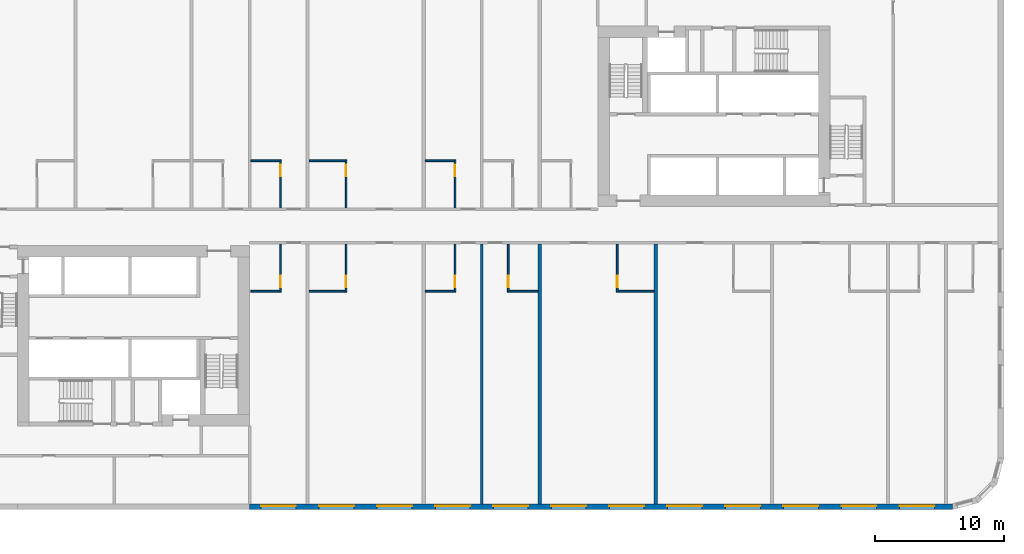
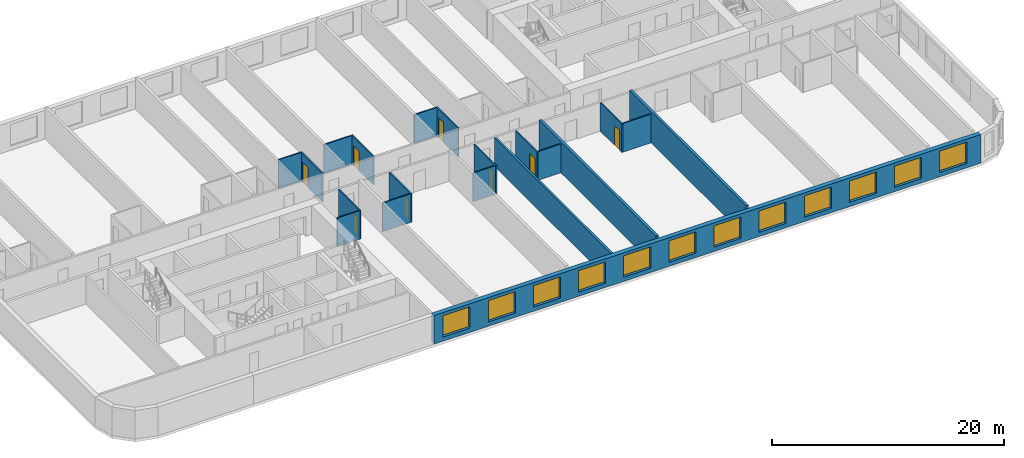
# One storey, part 4 of 12: 20 walls, 12 windows, 8 doors, 20 openings.
"""IFC4 building model written with IfcOpenShell, lengths in metres."""

from ifc_helpers import new_model, si_unit, direction, frame, frame_2d, origin, place, context, subcontext, project, spatial, rectangle, extrude, material, layer, layer_set, type_object, element, fill, save


model = new_model("IFC4")

# Units and contexts
model_context = context("Model", 3, precision=1e-05, world=origin(), true_north=direction((0.0, 1.0)))
body_context = subcontext(model_context, "Body", "Model", "MODEL_VIEW")
ifc_project = project(units=[si_unit("LENGTHUNIT", "METRE"), si_unit("AREAUNIT", "SQUARE_METRE"), si_unit("VOLUMEUNIT", "CUBIC_METRE"), si_unit("PLANEANGLEUNIT", "RADIAN"), si_unit("MASSUNIT", "GRAM", prefix="KILO")], contexts=[model_context])

# Site, building, storey
site_placement = place(None, origin())
site = spatial("IfcSite", under=ifc_project, at=site_placement, CompositionType="ELEMENT")
building_placement = place(site_placement, origin())
building = spatial("IfcBuilding", under=site, at=building_placement, Name="Kajstack Hotel Tower", CompositionType="ELEMENT")
storey_placement = place(building_placement, frame((0.0, 0.0, 63.300048828125)))
storey = spatial("IfcBuildingStorey", under=building, at=storey_placement, Name="L10", CompositionType="ELEMENT", Elevation=63.300048828125)

# Wall
ifc_material_1 = material(Name="Twin-frame gypsum board on steel studs, mineral wool", Category="steel")
ifc_layer_1 = layer(ifc_material_1, 0.199951171875)
ifc_layer_set_1 = layer_set([ifc_layer_1], Name="Demising wall 200")
wall_type_1 = type_object("IfcWallType", Name="Demising wall 200", PredefinedType="PARTITIONING", material=ifc_layer_set_1)
wall_1_placement = place(storey_placement, frame((4.5, -21.550048828125, 0.0), z_axis=(0.0, 0.0, 1.0), x_axis=(0.0, 1.0, 0.0)))
element("IfcWall", 1, at=wall_1_placement, inside=storey, type_object=wall_type_1, Name="G-wall-L10-031", PredefinedType="PARTITIONING", context=body_context, shape_type="SweptSolid", body=[
    extrude(rectangle(XDim=20.150146484375, YDim=0.199951171875, at=frame_2d((10.0751953125, 0.0))), origin(), (0.0, 0.0, 1.0), 3.02001953125),
])

# Wall, openings, windows
ifc_material_2 = material(Name="Terracotta-faced brick masonry", Category="masonry")
ifc_layer_2 = layer(ifc_material_2, 0.449951171875)
ifc_layer_set_2 = layer_set([ifc_layer_2], Name="EW-TERRA")
wall_type_2 = type_object("IfcWallType", Name="EW-TERRA", PredefinedType="SOLIDWALL", material=ifc_layer_set_2)
wall_2_placement = place(storey_placement, frame((-13.5, -21.77490234375, 0.0), z_axis=(0.0, 0.0, 1.0), x_axis=(1.0, 0.0, 0.0)))
wall_2 = element("IfcWall", 2, at=wall_2_placement, inside=storey, type_object=wall_type_2, Name="E-wall-L10-03-02", PredefinedType="SOLIDWALL", context=body_context, shape_type="SweptSolid", body=[
    extrude(rectangle(XDim=54.5, YDim=0.449951171875, at=frame_2d((27.25, 0.0))), origin(), (0.0, 0.0, 1.0), 3.02001953125),
])
opening_1_placement = place(wall_2_placement, frame((0.89990234375, 0.0, 0.449951171875)))
opening_1 = element("IfcOpeningElement", 3, at=opening_1_placement, cuts=wall_2, Name="Opening W1", PredefinedType="OPENING", context=body_context, shape_type="SweptSolid", body=[
    extrude(rectangle(XDim=2.699951171875, YDim=2.25, at=frame_2d((1.35009765625, 1.125))), frame((0.0, 0.23486328125, 0.0), z_axis=(0.0, -1.0, 0.0), x_axis=(1.0, 0.0, 0.0)), (0.0, 0.0, 1.0), 0.469970703125),
])
opening_2_placement = place(wall_2_placement, frame((5.39990234375, 0.0, 0.449951171875)))
opening_2 = element("IfcOpeningElement", 4, at=opening_2_placement, cuts=wall_2, Name="Opening W1", PredefinedType="OPENING", context=body_context, shape_type="SweptSolid", body=[
    extrude(rectangle(XDim=2.699951171875, YDim=2.25, at=frame_2d((1.35009765625, 1.125))), frame((0.0, 0.23486328125, 0.0), z_axis=(0.0, -1.0, 0.0), x_axis=(1.0, 0.0, 0.0)), (0.0, 0.0, 1.0), 0.469970703125),
])
opening_3_placement = place(wall_2_placement, frame((9.89990234375, 0.0, 0.449951171875)))
opening_3 = element("IfcOpeningElement", 5, at=opening_3_placement, cuts=wall_2, Name="Opening W1", PredefinedType="OPENING", context=body_context, shape_type="SweptSolid", body=[
    extrude(rectangle(XDim=2.699951171875, YDim=2.25, at=frame_2d((1.35009765625, 1.125))), frame((0.0, 0.23486328125, 0.0), z_axis=(0.0, -1.0, 0.0), x_axis=(1.0, 0.0, 0.0)), (0.0, 0.0, 1.0), 0.469970703125),
])
opening_4_placement = place(wall_2_placement, frame((14.39990234375, 0.0, 0.449951171875)))
opening_4 = element("IfcOpeningElement", 6, at=opening_4_placement, cuts=wall_2, Name="Opening W1", PredefinedType="OPENING", context=body_context, shape_type="SweptSolid", body=[
    extrude(rectangle(XDim=2.699951171875, YDim=2.25, at=frame_2d((1.35009765625, 1.125))), frame((0.0, 0.23486328125, 0.0), z_axis=(0.0, -1.0, 0.0), x_axis=(1.0, 0.0, 0.0)), (0.0, 0.0, 1.0), 0.469970703125),
])
opening_5_placement = place(wall_2_placement, frame((18.89990234375, 0.0, 0.449951171875)))
opening_5 = element("IfcOpeningElement", 7, at=opening_5_placement, cuts=wall_2, Name="Opening W1", PredefinedType="OPENING", context=body_context, shape_type="SweptSolid", body=[
    extrude(rectangle(XDim=2.699951171875, YDim=2.25, at=frame_2d((1.35009765625, 1.125))), frame((0.0, 0.23486328125, 0.0), z_axis=(0.0, -1.0, 0.0), x_axis=(1.0, 0.0, 0.0)), (0.0, 0.0, 1.0), 0.469970703125),
])
opening_6_placement = place(wall_2_placement, frame((23.39990234375, 0.0, 0.449951171875)))
opening_6 = element("IfcOpeningElement", 8, at=opening_6_placement, cuts=wall_2, Name="Opening W1", PredefinedType="OPENING", context=body_context, shape_type="SweptSolid", body=[
    extrude(rectangle(XDim=2.699951171875, YDim=2.25, at=frame_2d((1.35009765625, 1.125))), frame((0.0, 0.23486328125, 0.0), z_axis=(0.0, -1.0, 0.0), x_axis=(1.0, 0.0, 0.0)), (0.0, 0.0, 1.0), 0.469970703125),
])
opening_7_placement = place(wall_2_placement, frame((27.89990234375, 0.0, 0.449951171875)))
opening_7 = element("IfcOpeningElement", 9, at=opening_7_placement, cuts=wall_2, Name="Opening W1", PredefinedType="OPENING", context=body_context, shape_type="SweptSolid", body=[
    extrude(rectangle(XDim=2.699951171875, YDim=2.25, at=frame_2d((1.35009765625, 1.125))), frame((0.0, 0.23486328125, 0.0), z_axis=(0.0, -1.0, 0.0), x_axis=(1.0, 0.0, 0.0)), (0.0, 0.0, 1.0), 0.469970703125),
])
opening_8_placement = place(wall_2_placement, frame((32.39990234375, 0.0, 0.449951171875)))
opening_8 = element("IfcOpeningElement", 10, at=opening_8_placement, cuts=wall_2, Name="Opening W1", PredefinedType="OPENING", context=body_context, shape_type="SweptSolid", body=[
    extrude(rectangle(XDim=2.699951171875, YDim=2.25, at=frame_2d((1.35009765625, 1.125))), frame((0.0, 0.23486328125, 0.0), z_axis=(0.0, -1.0, 0.0), x_axis=(1.0, 0.0, 0.0)), (0.0, 0.0, 1.0), 0.469970703125),
])
opening_9_placement = place(wall_2_placement, frame((36.89990234375, 0.0, 0.449951171875)))
opening_9 = element("IfcOpeningElement", 11, at=opening_9_placement, cuts=wall_2, Name="Opening W1", PredefinedType="OPENING", context=body_context, shape_type="SweptSolid", body=[
    extrude(rectangle(XDim=2.699951171875, YDim=2.25, at=frame_2d((1.35009765625, 1.125))), frame((0.0, 0.23486328125, 0.0), z_axis=(0.0, -1.0, 0.0), x_axis=(1.0, 0.0, 0.0)), (0.0, 0.0, 1.0), 0.469970703125),
])
opening_10_placement = place(wall_2_placement, frame((41.39990234375, 0.0, 0.449951171875)))
opening_10 = element("IfcOpeningElement", 12, at=opening_10_placement, cuts=wall_2, Name="Opening W1", PredefinedType="OPENING", context=body_context, shape_type="SweptSolid", body=[
    extrude(rectangle(XDim=2.699951171875, YDim=2.25, at=frame_2d((1.35009765625, 1.125))), frame((0.0, 0.23486328125, 0.0), z_axis=(0.0, -1.0, 0.0), x_axis=(1.0, 0.0, 0.0)), (0.0, 0.0, 1.0), 0.469970703125),
])
opening_11_placement = place(wall_2_placement, frame((45.89990234375, 0.0, 0.449951171875)))
opening_11 = element("IfcOpeningElement", 13, at=opening_11_placement, cuts=wall_2, Name="Opening W1", PredefinedType="OPENING", context=body_context, shape_type="SweptSolid", body=[
    extrude(rectangle(XDim=2.699951171875, YDim=2.25, at=frame_2d((1.35009765625, 1.125))), frame((0.0, 0.23486328125, 0.0), z_axis=(0.0, -1.0, 0.0), x_axis=(1.0, 0.0, 0.0)), (0.0, 0.0, 1.0), 0.469970703125),
])
opening_12_placement = place(wall_2_placement, frame((50.39990234375, 0.0, 0.449951171875)))
opening_12 = element("IfcOpeningElement", 14, at=opening_12_placement, cuts=wall_2, Name="Opening W1", PredefinedType="OPENING", context=body_context, shape_type="SweptSolid", body=[
    extrude(rectangle(XDim=2.699951171875, YDim=2.25, at=frame_2d((1.35009765625, 1.125))), frame((0.0, 0.23486328125, 0.0), z_axis=(0.0, -1.0, 0.0), x_axis=(1.0, 0.0, 0.0)), (0.0, 0.0, 1.0), 0.469970703125),
])
ifc_material_3 = material(Name="Timber-aluminium window, triple glazed", Category="wood")
window_type = type_object("IfcWindowType", Name="WG1", PartitioningType="SINGLE_PANEL", PredefinedType="WINDOW", material=ifc_material_3)
window_1_placement = place(opening_1_placement, origin())
window_1 = element("IfcWindow", 15, at=window_1_placement, inside=storey, type_object=window_type, Name="Window W1 L10-03", OverallHeight=2.25, OverallWidth=2.699951171875, PartitioningType="SINGLE_PANEL", PredefinedType="WINDOW", context=body_context, shape_type="SweptSolid", body=[
    extrude(rectangle(XDim=2.699951171875, YDim=2.25, at=frame_2d((1.35009765625, 1.125))), frame((0.0, 0.090087890625, 0.0), z_axis=(0.0, -1.0, 0.0), x_axis=(1.0, 0.0, 0.0)), (0.0, 0.0, 1.0), 0.06005859375),
])
fill(opening_1, window_1)
window_2_placement = place(opening_2_placement, origin())
window_2 = element("IfcWindow", 16, at=window_2_placement, inside=storey, type_object=window_type, Name="Window W1 L10-03", OverallHeight=2.25, OverallWidth=2.699951171875, PartitioningType="SINGLE_PANEL", PredefinedType="WINDOW", context=body_context, shape_type="SweptSolid", body=[
    extrude(rectangle(XDim=2.699951171875, YDim=2.25, at=frame_2d((1.35009765625, 1.125))), frame((0.0, 0.090087890625, 0.0), z_axis=(0.0, -1.0, 0.0), x_axis=(1.0, 0.0, 0.0)), (0.0, 0.0, 1.0), 0.06005859375),
])
fill(opening_2, window_2)
window_3_placement = place(opening_3_placement, origin())
window_3 = element("IfcWindow", 17, at=window_3_placement, inside=storey, type_object=window_type, Name="Window W1 L10-03", OverallHeight=2.25, OverallWidth=2.699951171875, PartitioningType="SINGLE_PANEL", PredefinedType="WINDOW", context=body_context, shape_type="SweptSolid", body=[
    extrude(rectangle(XDim=2.699951171875, YDim=2.25, at=frame_2d((1.35009765625, 1.125))), frame((0.0, 0.090087890625, 0.0), z_axis=(0.0, -1.0, 0.0), x_axis=(1.0, 0.0, 0.0)), (0.0, 0.0, 1.0), 0.06005859375),
])
fill(opening_3, window_3)
window_4_placement = place(opening_4_placement, origin())
window_4 = element("IfcWindow", 18, at=window_4_placement, inside=storey, type_object=window_type, Name="Window W1 L10-03", OverallHeight=2.25, OverallWidth=2.699951171875, PartitioningType="SINGLE_PANEL", PredefinedType="WINDOW", context=body_context, shape_type="SweptSolid", body=[
    extrude(rectangle(XDim=2.699951171875, YDim=2.25, at=frame_2d((1.35009765625, 1.125))), frame((0.0, 0.090087890625, 0.0), z_axis=(0.0, -1.0, 0.0), x_axis=(1.0, 0.0, 0.0)), (0.0, 0.0, 1.0), 0.06005859375),
])
fill(opening_4, window_4)
window_5_placement = place(opening_5_placement, origin())
window_5 = element("IfcWindow", 19, at=window_5_placement, inside=storey, type_object=window_type, Name="Window W1 L10-03", OverallHeight=2.25, OverallWidth=2.699951171875, PartitioningType="SINGLE_PANEL", PredefinedType="WINDOW", context=body_context, shape_type="SweptSolid", body=[
    extrude(rectangle(XDim=2.699951171875, YDim=2.25, at=frame_2d((1.35009765625, 1.125))), frame((0.0, 0.090087890625, 0.0), z_axis=(0.0, -1.0, 0.0), x_axis=(1.0, 0.0, 0.0)), (0.0, 0.0, 1.0), 0.06005859375),
])
fill(opening_5, window_5)
window_6_placement = place(opening_6_placement, origin())
window_6 = element("IfcWindow", 20, at=window_6_placement, inside=storey, type_object=window_type, Name="Window W1 L10-03", OverallHeight=2.25, OverallWidth=2.699951171875, PartitioningType="SINGLE_PANEL", PredefinedType="WINDOW", context=body_context, shape_type="SweptSolid", body=[
    extrude(rectangle(XDim=2.699951171875, YDim=2.25, at=frame_2d((1.35009765625, 1.125))), frame((0.0, 0.090087890625, 0.0), z_axis=(0.0, -1.0, 0.0), x_axis=(1.0, 0.0, 0.0)), (0.0, 0.0, 1.0), 0.06005859375),
])
fill(opening_6, window_6)
window_7_placement = place(opening_7_placement, origin())
window_7 = element("IfcWindow", 21, at=window_7_placement, inside=storey, type_object=window_type, Name="Window W1 L10-03", OverallHeight=2.25, OverallWidth=2.699951171875, PartitioningType="SINGLE_PANEL", PredefinedType="WINDOW", context=body_context, shape_type="SweptSolid", body=[
    extrude(rectangle(XDim=2.699951171875, YDim=2.25, at=frame_2d((1.35009765625, 1.125))), frame((0.0, 0.090087890625, 0.0), z_axis=(0.0, -1.0, 0.0), x_axis=(1.0, 0.0, 0.0)), (0.0, 0.0, 1.0), 0.06005859375),
])
fill(opening_7, window_7)
window_8_placement = place(opening_8_placement, origin())
window_8 = element("IfcWindow", 22, at=window_8_placement, inside=storey, type_object=window_type, Name="Window W1 L10-03", OverallHeight=2.25, OverallWidth=2.699951171875, PartitioningType="SINGLE_PANEL", PredefinedType="WINDOW", context=body_context, shape_type="SweptSolid", body=[
    extrude(rectangle(XDim=2.699951171875, YDim=2.25, at=frame_2d((1.35009765625, 1.125))), frame((0.0, 0.090087890625, 0.0), z_axis=(0.0, -1.0, 0.0), x_axis=(1.0, 0.0, 0.0)), (0.0, 0.0, 1.0), 0.06005859375),
])
fill(opening_8, window_8)
window_9_placement = place(opening_9_placement, origin())
window_9 = element("IfcWindow", 23, at=window_9_placement, inside=storey, type_object=window_type, Name="Window W1 L10-03", OverallHeight=2.25, OverallWidth=2.699951171875, PartitioningType="SINGLE_PANEL", PredefinedType="WINDOW", context=body_context, shape_type="SweptSolid", body=[
    extrude(rectangle(XDim=2.699951171875, YDim=2.25, at=frame_2d((1.35009765625, 1.125))), frame((0.0, 0.090087890625, 0.0), z_axis=(0.0, -1.0, 0.0), x_axis=(1.0, 0.0, 0.0)), (0.0, 0.0, 1.0), 0.06005859375),
])
fill(opening_9, window_9)
window_10_placement = place(opening_10_placement, origin())
window_10 = element("IfcWindow", 24, at=window_10_placement, inside=storey, type_object=window_type, Name="Window W1 L10-03", OverallHeight=2.25, OverallWidth=2.699951171875, PartitioningType="SINGLE_PANEL", PredefinedType="WINDOW", context=body_context, shape_type="SweptSolid", body=[
    extrude(rectangle(XDim=2.699951171875, YDim=2.25, at=frame_2d((1.35009765625, 1.125))), frame((0.0, 0.090087890625, 0.0), z_axis=(0.0, -1.0, 0.0), x_axis=(1.0, 0.0, 0.0)), (0.0, 0.0, 1.0), 0.06005859375),
])
fill(opening_10, window_10)
window_11_placement = place(opening_11_placement, origin())
window_11 = element("IfcWindow", 25, at=window_11_placement, inside=storey, type_object=window_type, Name="Window W1 L10-03", OverallHeight=2.25, OverallWidth=2.699951171875, PartitioningType="SINGLE_PANEL", PredefinedType="WINDOW", context=body_context, shape_type="SweptSolid", body=[
    extrude(rectangle(XDim=2.699951171875, YDim=2.25, at=frame_2d((1.35009765625, 1.125))), frame((0.0, 0.090087890625, 0.0), z_axis=(0.0, -1.0, 0.0), x_axis=(1.0, 0.0, 0.0)), (0.0, 0.0, 1.0), 0.06005859375),
])
fill(opening_11, window_11)
window_12_placement = place(opening_12_placement, origin())
window_12 = element("IfcWindow", 26, at=window_12_placement, inside=storey, type_object=window_type, Name="Window W1 L10-03", OverallHeight=2.25, OverallWidth=2.699951171875, PartitioningType="SINGLE_PANEL", PredefinedType="WINDOW", context=body_context, shape_type="SweptSolid", body=[
    extrude(rectangle(XDim=2.699951171875, YDim=2.25, at=frame_2d((1.35009765625, 1.125))), frame((0.0, 0.090087890625, 0.0), z_axis=(0.0, -1.0, 0.0), x_axis=(1.0, 0.0, 0.0)), (0.0, 0.0, 1.0), 0.06005859375),
])
fill(opening_12, window_12)

# Wall, opening, door
ifc_material_4 = material(Name="Gypsum board and tiled backer on steel studs", Category="steel")
ifc_layer_3 = layer(ifc_material_4, 0.125)
ifc_layer_set_3 = layer_set([ifc_layer_3], Name="En-suite wall 125")
wall_type_3 = type_object("IfcWallType", Name="En-suite wall 125", PredefinedType="PARTITIONING", material=ifc_layer_set_3)
wall_3_placement = place(storey_placement, frame((-11.087890625, 1.39990234375, 0.0), z_axis=(0.0, 0.0, 1.0), x_axis=(0.0, 1.0, 0.0)))
wall_3 = element("IfcWall", 27, at=wall_3_placement, inside=storey, type_object=wall_type_3, Name="G-wall-L10-015", PredefinedType="PARTITIONING", context=body_context, shape_type="SweptSolid", body=[
    extrude(rectangle(XDim=3.72509765625, YDim=0.125, at=frame_2d((1.862548828125, 0.0))), origin(), (0.0, 0.0, 1.0), 3.02001953125),
])
opening_13_placement = place(wall_3_placement, frame((2.449951171875, 0.0, 0.0)))
opening_13 = element("IfcOpeningElement", 28, at=opening_13_placement, cuts=wall_3, Name="Opening 10012", PredefinedType="OPENING", context=body_context, shape_type="SweptSolid", body=[
    extrude(rectangle(XDim=0.89990234375, YDim=2.10009765625, at=frame_2d((0.449951171875, 1.050048828125))), frame((0.0, 0.072509765625, 0.0), z_axis=(0.0, -1.0, 0.0), x_axis=(1.0, 0.0, 0.0)), (0.0, 0.0, 1.0), 0.14501953125),
])
ifc_material_5 = material(Name="Painted timber door leaf", Category="wood")
door_type = type_object("IfcDoorType", Name="Room door 900", OperationType="SINGLE_SWING_LEFT", PredefinedType="DOOR", material=ifc_material_5)
door_1_placement = place(opening_13_placement, origin())
door_1 = element("IfcDoor", 29, at=door_1_placement, inside=storey, type_object=door_type, Name="G-door-L10-12", OperationType="SINGLE_SWING_RIGHT", OverallHeight=2.10009765625, OverallWidth=0.89990234375, PredefinedType="DOOR", context=body_context, shape_type="SweptSolid", body=[
    extrude(rectangle(XDim=0.89990234375, YDim=2.10009765625, at=frame_2d((0.449951171875, 1.050048828125))), frame((0.0, 0.02490234375, 0.0), z_axis=(0.0, -1.0, 0.0), x_axis=(1.0, 0.0, 0.0)), (0.0, 0.0, 1.0), 0.050048828125),
])
fill(opening_13, door_1)

# Wall
wall_4_placement = place(storey_placement, frame((-13.39990234375, 5.06201171875, 0.0), z_axis=(0.0, 0.0, 1.0), x_axis=(1.0, 0.0, 0.0)))
element("IfcWall", 30, at=wall_4_placement, inside=storey, type_object=wall_type_3, Name="G-wall-L10-016", PredefinedType="PARTITIONING", context=body_context, shape_type="SweptSolid", body=[
    extrude(rectangle(XDim=2.25, YDim=0.125, at=frame_2d((1.125, 0.0))), origin(), (0.0, 0.0, 1.0), 3.02001953125),
])

# Wall, opening, door
wall_5_placement = place(storey_placement, frame((-6.012939453125, 1.39990234375, 0.0), z_axis=(0.0, 0.0, 1.0), x_axis=(0.0, 1.0, 0.0)))
wall_5 = element("IfcWall", 31, at=wall_5_placement, inside=storey, type_object=wall_type_3, Name="G-wall-L10-017", PredefinedType="PARTITIONING", context=body_context, shape_type="SweptSolid", body=[
    extrude(rectangle(XDim=3.72509765625, YDim=0.125, at=frame_2d((1.862548828125, 0.0))), origin(), (0.0, 0.0, 1.0), 3.02001953125),
])
opening_14_placement = place(wall_5_placement, frame((2.449951171875, 0.0, 0.0)))
opening_14 = element("IfcOpeningElement", 32, at=opening_14_placement, cuts=wall_5, Name="Opening 10014", PredefinedType="OPENING", context=body_context, shape_type="SweptSolid", body=[
    extrude(rectangle(XDim=0.89990234375, YDim=2.10009765625, at=frame_2d((0.449951171875, 1.050048828125))), frame((0.0, 0.072509765625, 0.0), z_axis=(0.0, -1.0, 0.0), x_axis=(1.0, 0.0, 0.0)), (0.0, 0.0, 1.0), 0.14501953125),
])
door_2_placement = place(opening_14_placement, origin())
door_2 = element("IfcDoor", 33, at=door_2_placement, inside=storey, type_object=door_type, Name="G-door-L10-14", OperationType="SINGLE_SWING_RIGHT", OverallHeight=2.10009765625, OverallWidth=0.89990234375, PredefinedType="DOOR", context=body_context, shape_type="SweptSolid", body=[
    extrude(rectangle(XDim=0.89990234375, YDim=2.10009765625, at=frame_2d((0.449951171875, 1.050048828125))), frame((0.0, 0.02490234375, 0.0), z_axis=(0.0, -1.0, 0.0), x_axis=(1.0, 0.0, 0.0)), (0.0, 0.0, 1.0), 0.050048828125),
])
fill(opening_14, door_2)

# Wall
wall_6_placement = place(storey_placement, frame((-8.875, 5.06201171875, 0.0), z_axis=(0.0, 0.0, 1.0), x_axis=(1.0, 0.0, 0.0)))
element("IfcWall", 34, at=wall_6_placement, inside=storey, type_object=wall_type_3, Name="G-wall-L10-018", PredefinedType="PARTITIONING", context=body_context, shape_type="SweptSolid", body=[
    extrude(rectangle(XDim=2.800048828125, YDim=0.125, at=frame_2d((1.39990234375, 0.0))), origin(), (0.0, 0.0, 1.0), 3.02001953125),
])

# Wall, opening, door
wall_7_placement = place(storey_placement, frame((2.43798828125, 1.39990234375, 0.0), z_axis=(0.0, 0.0, 1.0), x_axis=(0.0, 1.0, 0.0)))
wall_7 = element("IfcWall", 35, at=wall_7_placement, inside=storey, type_object=wall_type_3, Name="G-wall-L10-020", PredefinedType="PARTITIONING", context=body_context, shape_type="SweptSolid", body=[
    extrude(rectangle(XDim=3.72509765625, YDim=0.125, at=frame_2d((1.862548828125, 0.0))), origin(), (0.0, 0.0, 1.0), 3.02001953125),
])
opening_15_placement = place(wall_7_placement, frame((2.449951171875, 0.0, 0.0)))
opening_15 = element("IfcOpeningElement", 36, at=opening_15_placement, cuts=wall_7, Name="Opening 10016", PredefinedType="OPENING", context=body_context, shape_type="SweptSolid", body=[
    extrude(rectangle(XDim=0.89990234375, YDim=2.10009765625, at=frame_2d((0.449951171875, 1.050048828125))), frame((0.0, 0.072509765625, 0.0), z_axis=(0.0, -1.0, 0.0), x_axis=(1.0, 0.0, 0.0)), (0.0, 0.0, 1.0), 0.14501953125),
])
door_3_placement = place(opening_15_placement, origin())
door_3 = element("IfcDoor", 37, at=door_3_placement, inside=storey, type_object=door_type, Name="G-door-L10-16", OperationType="SINGLE_SWING_RIGHT", OverallHeight=2.10009765625, OverallWidth=0.89990234375, PredefinedType="DOOR", context=body_context, shape_type="SweptSolid", body=[
    extrude(rectangle(XDim=0.89990234375, YDim=2.10009765625, at=frame_2d((0.449951171875, 1.050048828125))), frame((0.0, 0.02490234375, 0.0), z_axis=(0.0, -1.0, 0.0), x_axis=(1.0, 0.0, 0.0)), (0.0, 0.0, 1.0), 0.050048828125),
])
fill(opening_15, door_3)

# Wall
wall_8_placement = place(storey_placement, frame((0.125, 5.06201171875, 0.0), z_axis=(0.0, 0.0, 1.0), x_axis=(1.0, 0.0, 0.0)))
element("IfcWall", 38, at=wall_8_placement, inside=storey, type_object=wall_type_3, Name="G-wall-L10-021", PredefinedType="PARTITIONING", context=body_context, shape_type="SweptSolid", body=[
    extrude(rectangle(XDim=2.25, YDim=0.125, at=frame_2d((1.125, 0.0))), origin(), (0.0, 0.0, 1.0), 3.02001953125),
])

# Wall, opening, door
wall_9_placement = place(storey_placement, frame((-11.087890625, -5.125, 0.0), z_axis=(0.0, 0.0, 1.0), x_axis=(0.0, 1.0, 0.0)))
wall_9 = element("IfcWall", 39, at=wall_9_placement, inside=storey, type_object=wall_type_3, Name="G-wall-L10-027", PredefinedType="PARTITIONING", context=body_context, shape_type="SweptSolid", body=[
    extrude(rectangle(XDim=3.72509765625, YDim=0.125, at=frame_2d((1.862548828125, 0.0))), origin(), (0.0, 0.0, 1.0), 3.02001953125),
])
opening_16_placement = place(wall_9_placement, frame((0.375, 0.0, 0.0)))
opening_16 = element("IfcOpeningElement", 40, at=opening_16_placement, cuts=wall_9, Name="Opening 10022", PredefinedType="OPENING", context=body_context, shape_type="SweptSolid", body=[
    extrude(rectangle(XDim=0.89990234375, YDim=2.10009765625, at=frame_2d((0.449951171875, 1.050048828125))), frame((0.0, 0.072509765625, 0.0), z_axis=(0.0, -1.0, 0.0), x_axis=(1.0, 0.0, 0.0)), (0.0, 0.0, 1.0), 0.14501953125),
])
door_4_placement = place(opening_16_placement, origin())
door_4 = element("IfcDoor", 41, at=door_4_placement, inside=storey, type_object=door_type, Name="G-door-L10-22", OperationType="SINGLE_SWING_LEFT", OverallHeight=2.10009765625, OverallWidth=0.89990234375, PredefinedType="DOOR", context=body_context, shape_type="SweptSolid", body=[
    extrude(rectangle(XDim=0.89990234375, YDim=2.10009765625, at=frame_2d((0.449951171875, 1.050048828125))), frame((0.0, 0.02490234375, 0.0), z_axis=(0.0, -1.0, 0.0), x_axis=(1.0, 0.0, 0.0)), (0.0, 0.0, 1.0), 0.050048828125),
])
fill(opening_16, door_4)

# Wall
wall_10_placement = place(storey_placement, frame((-13.39990234375, -5.06201171875, 0.0), z_axis=(0.0, 0.0, 1.0), x_axis=(1.0, 0.0, 0.0)))
element("IfcWall", 42, at=wall_10_placement, inside=storey, type_object=wall_type_3, Name="G-wall-L10-028", PredefinedType="PARTITIONING", context=body_context, shape_type="SweptSolid", body=[
    extrude(rectangle(XDim=2.25, YDim=0.125, at=frame_2d((1.125, 0.0))), origin(), (0.0, 0.0, 1.0), 3.02001953125),
])

# Wall, opening, door
wall_11_placement = place(storey_placement, frame((-6.012939453125, -5.125, 0.0), z_axis=(0.0, 0.0, 1.0), x_axis=(0.0, 1.0, 0.0)))
wall_11 = element("IfcWall", 43, at=wall_11_placement, inside=storey, type_object=wall_type_3, Name="G-wall-L10-029", PredefinedType="PARTITIONING", context=body_context, shape_type="SweptSolid", body=[
    extrude(rectangle(XDim=3.72509765625, YDim=0.125, at=frame_2d((1.862548828125, 0.0))), origin(), (0.0, 0.0, 1.0), 3.02001953125),
])
opening_17_placement = place(wall_11_placement, frame((0.375, 0.0, 0.0)))
opening_17 = element("IfcOpeningElement", 44, at=opening_17_placement, cuts=wall_11, Name="Opening 10024", PredefinedType="OPENING", context=body_context, shape_type="SweptSolid", body=[
    extrude(rectangle(XDim=0.89990234375, YDim=2.10009765625, at=frame_2d((0.449951171875, 1.050048828125))), frame((0.0, 0.072509765625, 0.0), z_axis=(0.0, -1.0, 0.0), x_axis=(1.0, 0.0, 0.0)), (0.0, 0.0, 1.0), 0.14501953125),
])
door_5_placement = place(opening_17_placement, origin())
door_5 = element("IfcDoor", 45, at=door_5_placement, inside=storey, type_object=door_type, Name="G-door-L10-24", OperationType="SINGLE_SWING_RIGHT", OverallHeight=2.10009765625, OverallWidth=0.89990234375, PredefinedType="DOOR", context=body_context, shape_type="SweptSolid", body=[
    extrude(rectangle(XDim=0.89990234375, YDim=2.10009765625, at=frame_2d((0.449951171875, 1.050048828125))), frame((0.0, 0.02490234375, 0.0), z_axis=(0.0, -1.0, 0.0), x_axis=(1.0, 0.0, 0.0)), (0.0, 0.0, 1.0), 0.050048828125),
])
fill(opening_17, door_5)

# Wall
wall_12_placement = place(storey_placement, frame((-8.875, -5.06201171875, 0.0), z_axis=(0.0, 0.0, 1.0), x_axis=(1.0, 0.0, 0.0)))
element("IfcWall", 46, at=wall_12_placement, inside=storey, type_object=wall_type_3, Name="G-wall-L10-030", PredefinedType="PARTITIONING", context=body_context, shape_type="SweptSolid", body=[
    extrude(rectangle(XDim=2.800048828125, YDim=0.125, at=frame_2d((1.39990234375, 0.0))), origin(), (0.0, 0.0, 1.0), 3.02001953125),
])

# Wall, opening, door
wall_13_placement = place(storey_placement, frame((2.43798828125, -5.125, 0.0), z_axis=(0.0, 0.0, 1.0), x_axis=(0.0, 1.0, 0.0)))
wall_13 = element("IfcWall", 47, at=wall_13_placement, inside=storey, type_object=wall_type_3, Name="G-wall-L10-032", PredefinedType="PARTITIONING", context=body_context, shape_type="SweptSolid", body=[
    extrude(rectangle(XDim=3.72509765625, YDim=0.125, at=frame_2d((1.862548828125, 0.0))), origin(), (0.0, 0.0, 1.0), 3.02001953125),
])
opening_18_placement = place(wall_13_placement, frame((0.375, 0.0, 0.0)))
opening_18 = element("IfcOpeningElement", 48, at=opening_18_placement, cuts=wall_13, Name="Opening 10026", PredefinedType="OPENING", context=body_context, shape_type="SweptSolid", body=[
    extrude(rectangle(XDim=0.89990234375, YDim=2.10009765625, at=frame_2d((0.449951171875, 1.050048828125))), frame((0.0, 0.072509765625, 0.0), z_axis=(0.0, -1.0, 0.0), x_axis=(1.0, 0.0, 0.0)), (0.0, 0.0, 1.0), 0.14501953125),
])
door_6_placement = place(opening_18_placement, origin())
door_6 = element("IfcDoor", 49, at=door_6_placement, inside=storey, type_object=door_type, Name="G-door-L10-26", OperationType="SINGLE_SWING_RIGHT", OverallHeight=2.10009765625, OverallWidth=0.89990234375, PredefinedType="DOOR", context=body_context, shape_type="SweptSolid", body=[
    extrude(rectangle(XDim=0.89990234375, YDim=2.10009765625, at=frame_2d((0.449951171875, 1.050048828125))), frame((0.0, 0.02490234375, 0.0), z_axis=(0.0, -1.0, 0.0), x_axis=(1.0, 0.0, 0.0)), (0.0, 0.0, 1.0), 0.050048828125),
])
fill(opening_18, door_6)

# Wall
wall_14_placement = place(storey_placement, frame((0.125, -5.06201171875, 0.0), z_axis=(0.0, 0.0, 1.0), x_axis=(1.0, 0.0, 0.0)))
element("IfcWall", 50, at=wall_14_placement, inside=storey, type_object=wall_type_3, Name="G-wall-L10-033", PredefinedType="PARTITIONING", context=body_context, shape_type="SweptSolid", body=[
    extrude(rectangle(XDim=2.25, YDim=0.125, at=frame_2d((1.125, 0.0))), origin(), (0.0, 0.0, 1.0), 3.02001953125),
])

# Wall, opening, door
wall_15_placement = place(storey_placement, frame((6.56201171875, -5.125, 0.0), z_axis=(0.0, 0.0, 1.0), x_axis=(0.0, 1.0, 0.0)))
wall_15 = element("IfcWall", 51, at=wall_15_placement, inside=storey, type_object=wall_type_3, Name="G-wall-L10-034", PredefinedType="PARTITIONING", context=body_context, shape_type="SweptSolid", body=[
    extrude(rectangle(XDim=3.72509765625, YDim=0.125, at=frame_2d((1.862548828125, 0.0))), origin(), (0.0, 0.0, 1.0), 3.02001953125),
])
opening_19_placement = place(wall_15_placement, frame((0.375, 0.0, 0.0)))
opening_19 = element("IfcOpeningElement", 52, at=opening_19_placement, cuts=wall_15, Name="Opening 10028", PredefinedType="OPENING", context=body_context, shape_type="SweptSolid", body=[
    extrude(rectangle(XDim=0.89990234375, YDim=2.10009765625, at=frame_2d((0.449951171875, 1.050048828125))), frame((0.0, 0.072509765625, 0.0), z_axis=(0.0, -1.0, 0.0), x_axis=(1.0, 0.0, 0.0)), (0.0, 0.0, 1.0), 0.14501953125),
])
door_7_placement = place(opening_19_placement, origin())
door_7 = element("IfcDoor", 53, at=door_7_placement, inside=storey, type_object=door_type, Name="G-door-L10-28", OperationType="SINGLE_SWING_LEFT", OverallHeight=2.10009765625, OverallWidth=0.89990234375, PredefinedType="DOOR", context=body_context, shape_type="SweptSolid", body=[
    extrude(rectangle(XDim=0.89990234375, YDim=2.10009765625, at=frame_2d((0.449951171875, 1.050048828125))), frame((0.0, 0.02490234375, 0.0), z_axis=(0.0, -1.0, 0.0), x_axis=(1.0, 0.0, 0.0)), (0.0, 0.0, 1.0), 0.050048828125),
])
fill(opening_19, door_7)

# Wall
wall_16_placement = place(storey_placement, frame((6.625, -5.06201171875, 0.0), z_axis=(0.0, 0.0, 1.0), x_axis=(1.0, 0.0, 0.0)))
element("IfcWall", 54, at=wall_16_placement, inside=storey, type_object=wall_type_3, Name="G-wall-L10-035", PredefinedType="PARTITIONING", context=body_context, shape_type="SweptSolid", body=[
    extrude(rectangle(XDim=2.25, YDim=0.125, at=frame_2d((1.125, 0.0))), origin(), (0.0, 0.0, 1.0), 3.02001953125),
])

# Wall, opening, door
wall_17_placement = place(storey_placement, frame((15.011962890625, -5.125, 0.0), z_axis=(0.0, 0.0, 1.0), x_axis=(0.0, 1.0, 0.0)))
wall_17 = element("IfcWall", 55, at=wall_17_placement, inside=storey, type_object=wall_type_3, Name="G-wall-L10-036", PredefinedType="PARTITIONING", context=body_context, shape_type="SweptSolid", body=[
    extrude(rectangle(XDim=3.72509765625, YDim=0.125, at=frame_2d((1.862548828125, 0.0))), origin(), (0.0, 0.0, 1.0), 3.02001953125),
])
opening_20_placement = place(wall_17_placement, frame((0.375, 0.0, 0.0)))
opening_20 = element("IfcOpeningElement", 56, at=opening_20_placement, cuts=wall_17, Name="Opening 10030", PredefinedType="OPENING", context=body_context, shape_type="SweptSolid", body=[
    extrude(rectangle(XDim=0.89990234375, YDim=2.10009765625, at=frame_2d((0.449951171875, 1.050048828125))), frame((0.0, 0.072509765625, 0.0), z_axis=(0.0, -1.0, 0.0), x_axis=(1.0, 0.0, 0.0)), (0.0, 0.0, 1.0), 0.14501953125),
])
door_8_placement = place(opening_20_placement, origin())
door_8 = element("IfcDoor", 57, at=door_8_placement, inside=storey, type_object=door_type, Name="G-door-L10-30", OperationType="SINGLE_SWING_LEFT", OverallHeight=2.10009765625, OverallWidth=0.89990234375, PredefinedType="DOOR", context=body_context, shape_type="SweptSolid", body=[
    extrude(rectangle(XDim=0.89990234375, YDim=2.10009765625, at=frame_2d((0.449951171875, 1.050048828125))), frame((0.0, 0.02490234375, 0.0), z_axis=(0.0, -1.0, 0.0), x_axis=(1.0, 0.0, 0.0)), (0.0, 0.0, 1.0), 0.050048828125),
])
fill(opening_20, door_8)

# Walls
wall_18_placement = place(storey_placement, frame((15.074951171875, -5.06201171875, 0.0), z_axis=(0.0, 0.0, 1.0), x_axis=(1.0, 0.0, 0.0)))
element("IfcWall", 58, at=wall_18_placement, inside=storey, type_object=wall_type_3, Name="G-wall-L10-037", PredefinedType="PARTITIONING", context=body_context, shape_type="SweptSolid", body=[
    extrude(rectangle(XDim=2.800048828125, YDim=0.125, at=frame_2d((1.39990234375, 0.0))), origin(), (0.0, 0.0, 1.0), 3.02001953125),
])
ifc_material_6 = material(Name="Concrete C60/75", Category="concrete")
ifc_layer_4 = layer(ifc_material_6, 0.25)
ifc_layer_set_4 = layer_set([ifc_layer_4], Name="RC cross wall 250 C60/75")
wall_type_4 = type_object("IfcWallType", Name="RC cross wall 250 C60/75", PredefinedType="SHEAR", material=ifc_layer_set_4)
for number, where, z_axis, x_axis, name in (
    (59, (9.0, -21.5400390625, 0.0), (0.0, 0.0, 1.0), (0.0, 1.0, 0.0), "S-wall-L10-09"),
    (60, (18.0, -21.5400390625, 0.0), (0.0, 0.0, 1.0), (0.0, 1.0, 0.0), "S-wall-L10-11"),
):
    element("IfcWall", number, at=place(storey_placement, frame(where, z_axis=z_axis, x_axis=x_axis)), inside=storey, type_object=wall_type_4, Name=name, PredefinedType="SHEAR", context=body_context, shape_type="SweptSolid", body=[
        extrude(rectangle(XDim=20.14013671875, YDim=0.25, at=frame_2d((10.070068359375, 0.0))), origin(), (0.0, 0.0, 1.0), 3.300048828125),
    ])

save(model, "model.ifc")
